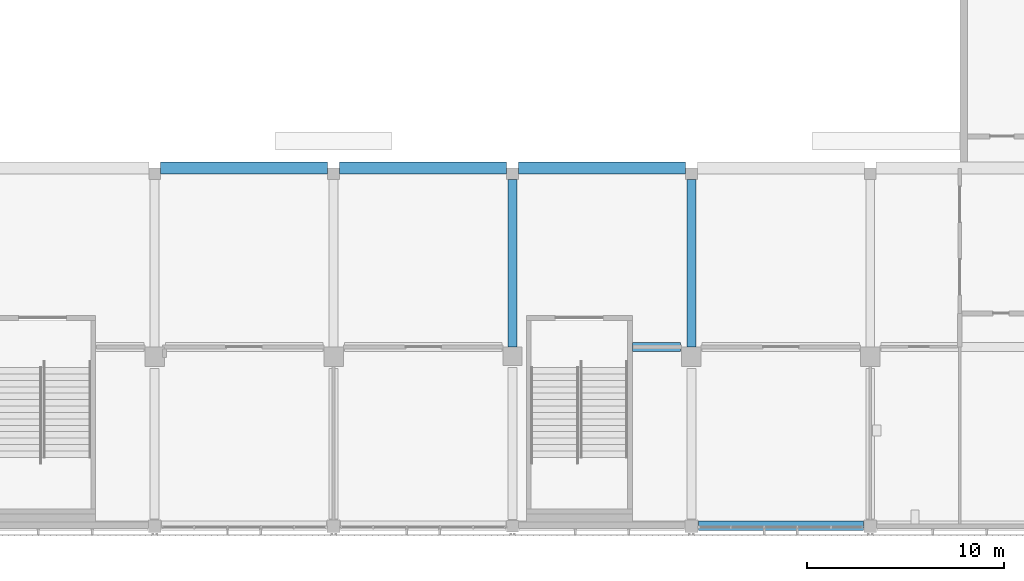
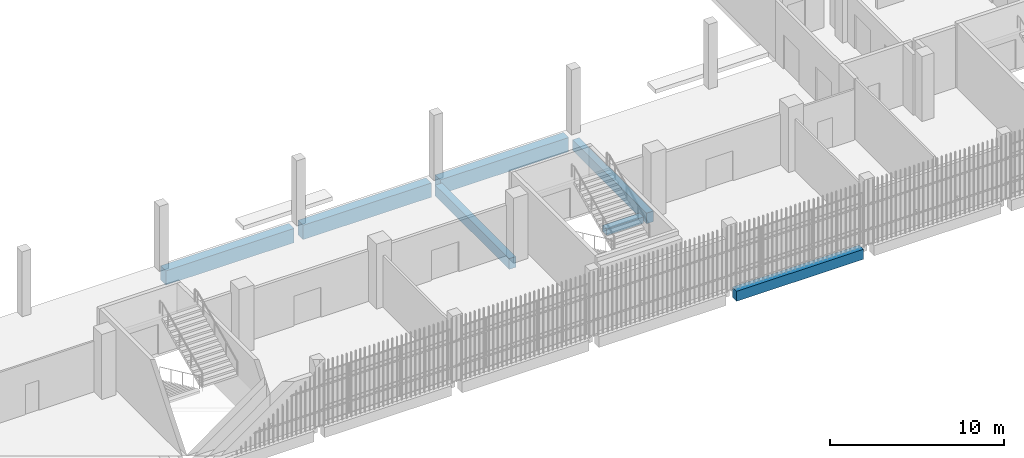
# One storey, part 21 of 126: 7 beams.
"""IFC4 building model written with IfcOpenShell, lengths in metres."""

from ifc_helpers import new_model, si_unit, direction, frame, origin, origin_2d, place, context, subcontext, project, spatial, rectangle, extrude, material, material_profile, profile_set, type_object, element, save


model = new_model("IFC4")

# Units and contexts
model_context = context("Model", 3, precision=1e-05, world=origin(), true_north=direction((0.0, 1.0)))
body_context = subcontext(model_context, "Body", "Model", "MODEL_VIEW")
ifc_project = project(units=[si_unit("LENGTHUNIT", "METRE"), si_unit("AREAUNIT", "SQUARE_METRE"), si_unit("VOLUMEUNIT", "CUBIC_METRE"), si_unit("PLANEANGLEUNIT", "RADIAN"), si_unit("MASSUNIT", "GRAM", prefix="KILO")], contexts=[model_context])

# Site, building, storey
site_placement = place(None, origin())
site = spatial("IfcSite", under=ifc_project, at=site_placement, CompositionType="ELEMENT")
building_placement = place(site_placement, origin())
building = spatial("IfcBuilding", under=site, at=building_placement, Name="Shirokan Park Arena", CompositionType="ELEMENT")
storey_placement = place(building_placement, frame((0.0, 0.0, 6.3701171875)))
storey = spatial("IfcBuildingStorey", under=building, at=storey_placement, Name="L01", CompositionType="ELEMENT", Elevation=6.3701171875)

# Beams
ifc_material = material(Name="Concrete C35", Category="concrete")
ifc_material_profile_1 = material_profile(ifc_material, rectangle(XDim=0.449951171875, YDim=0.75, at=origin_2d()), Name="450x750")
ifc_profile_set_1 = profile_set([ifc_material_profile_1], Name="Concrete C35")
beam_type_1 = type_object("IfcBeamType", Name="RC girder 450x750", PredefinedType="BEAM", material=ifc_profile_set_1)
for number, where, z_axis, x_axis, name in (
    (1, (81.89990234375, 9.10009765625, -0.72509765625), (0.0, 1.0, 0.0), (-1.0, 0.0, 0.0), "Girder 10B-10C L01"),
    (2, (91.0, 9.10009765625, -0.72509765625), (0.0, 1.0, 0.0), (-1.0, 0.0, 0.0), "Girder 11B-11C L01"),
):
    element("IfcBeam", number, at=place(storey_placement, frame(where, z_axis=z_axis, x_axis=x_axis)), inside=storey, type_object=beam_type_1, Name=name, PredefinedType="BEAM", context=body_context, shape_type="SweptSolid", body=[
        extrude(rectangle(XDim=0.449951171875, YDim=0.75, at=origin_2d()), origin(), (0.0, 0.0, 1.0), 8.499755859375),
    ])
ifc_material_profile_2 = material_profile(ifc_material, rectangle(XDim=0.5, YDim=0.699951171875, at=origin_2d()), Name="500x700")
ifc_profile_set_2 = profile_set([ifc_material_profile_2], Name="Concrete C35")
beam_type_2 = type_object("IfcBeamType", Name="RC girder 500x700", PredefinedType="BEAM", material=ifc_profile_set_2)
beam_1_placement = place(storey_placement, frame((91.35009765625, 0.0, -0.7001953125), z_axis=(1.0, 0.0, 0.0), x_axis=(0.0, 1.0, 0.0)))
element("IfcBeam", 3, at=beam_1_placement, inside=storey, type_object=beam_type_2, Name="Girder 11A-12A L01", PredefinedType="BEAM", context=body_context, shape_type="SweptSolid", body=[
    extrude(rectangle(XDim=0.5, YDim=0.699951171875, at=origin_2d()), origin(), (0.0, 0.0, 1.0), 8.39990234375),
])
ifc_material_profile_3 = material_profile(ifc_material, rectangle(XDim=0.60009765625, YDim=1.0, at=origin_2d()), Name="600x1000")
ifc_profile_set_3 = profile_set([ifc_material_profile_3], Name="Concrete C35")
beam_type_3 = type_object("IfcBeamType", Name="RC girder 600x1000", PredefinedType="BEAM", material=ifc_profile_set_3)
beam_2_placement = place(storey_placement, frame((64.0, 18.199951171875, -0.85009765625), z_axis=(1.0, 0.0, 0.0), x_axis=(0.0, 1.0, 0.0)))
element("IfcBeam", 4, at=beam_2_placement, inside=storey, type_object=beam_type_3, Name="Girder 8C-9C L01", PredefinedType="BEAM", context=body_context, shape_type="SweptSolid", body=[
    extrude(rectangle(XDim=0.60009765625, YDim=1.0, at=origin_2d()), origin(), (0.0, 0.0, 1.0), 8.5),
])
for number, where, z_axis, x_axis, name in (
    (5, (73.10009765625, 18.199951171875, -0.85009765625), (1.0, 0.0, 0.0), (0.0, 1.0, 0.0), "Girder 9C-10C L01"),
    (6, (82.2001953125, 18.199951171875, -0.85009765625), (1.0, 0.0, 0.0), (0.0, 1.0, 0.0), "Girder 10C-11C L01"),
):
    element("IfcBeam", number, at=place(storey_placement, frame(where, z_axis=z_axis, x_axis=x_axis)), inside=storey, type_object=beam_type_3, Name=name, PredefinedType="BEAM", context=body_context, shape_type="SweptSolid", body=[
        extrude(rectangle(XDim=0.60009765625, YDim=1.0, at=origin_2d()), origin(), (0.0, 0.0, 1.0), 8.499755859375),
    ])
ifc_material_profile_4 = material_profile(ifc_material, rectangle(XDim=0.449951171875, YDim=0.449951171875, at=origin_2d()), Name="450x450")
ifc_profile_set_4 = profile_set([ifc_material_profile_4], Name="Concrete C35")
beam_type_4 = type_object("IfcBeamType", Name="RC trimmer 450x450", PredefinedType="BEAM", material=ifc_profile_set_4)
beam_3_placement = place(storey_placement, frame((88.0, 9.10009765625, -0.5751953125), z_axis=(1.0, 0.0, 0.0), x_axis=(0.0, 1.0, 0.0)))
element("IfcBeam", 7, at=beam_3_placement, inside=storey, type_object=beam_type_4, Name="Girder 10B-11B L01", PredefinedType="BEAM", context=body_context, shape_type="SweptSolid", body=[
    extrude(rectangle(XDim=0.449951171875, YDim=0.449951171875, at=origin_2d()), origin(), (0.0, 0.0, 1.0), 2.449951171875),
])

save(model, "model.ifc")
